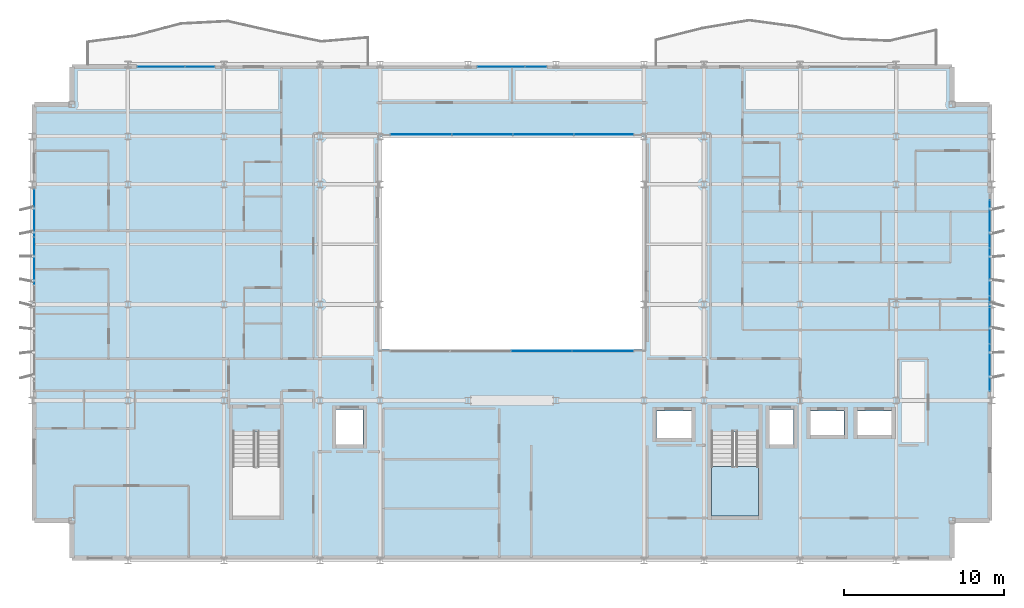
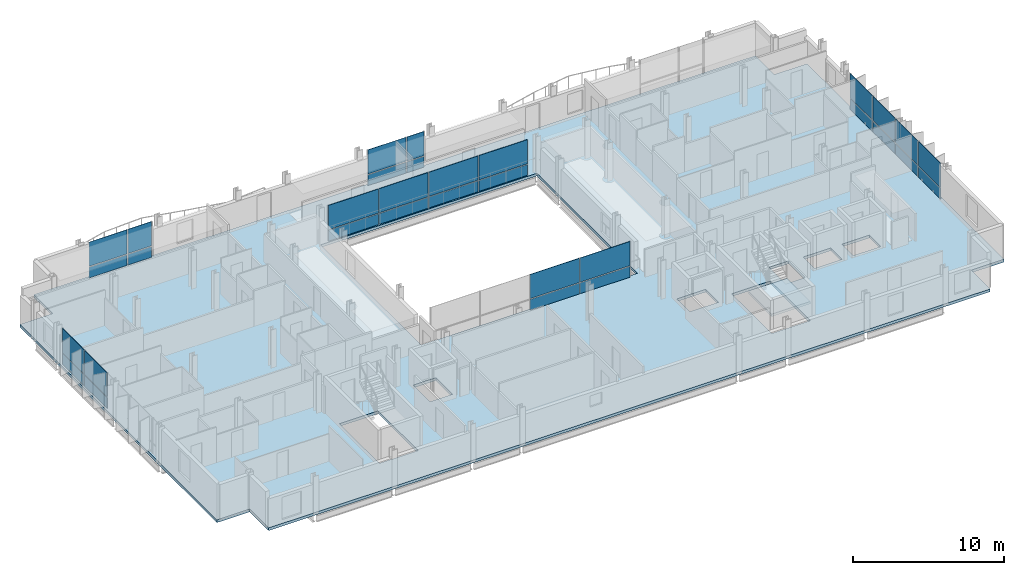
# One storey, part 25 of 38: 32 plates, 2 slabs, 7 elements without a shape of their own.
"""IFC4 building model written with IfcOpenShell, lengths in metres."""

import ifcopenshell
import ifcopenshell.guid

model = None  # the IFC model being written
_history = None  # IfcOwnerHistory: only IFC2X3 demands one
_inside = {}  # id of a spatial element -> (the spatial element, [elements in it])
_under = {}  # id of a project, library or spatial element -> (it, [spatial elements below it])
_declared = {}  # id of a project -> (the project, [libraries it declares])
_typed = {}  # id of a type object -> (the type object, [elements of that type])
_made_of = {}  # id of a material, layer set ... -> (it, [elements and type objects made of it])


def new_model(schema):
    """Start an empty IFC model of exactly this schema.

    Asked for "IFC4X3", IfcOpenShell would pick the latest addendum, in which some entities
    have other attributes; the version numbers below select the first issue.
    IFC2X3 requires an IfcOwnerHistory on every rooted entity: one is made here for all.
    """
    global model, _history
    if schema == "IFC4X3":
        model = ifcopenshell.file(schema_version=(4, 3, 0, 0))
    else:
        model = ifcopenshell.file(schema=schema)
    _inside.clear()
    _under.clear()
    _declared.clear()
    _typed.clear()
    _made_of.clear()
    _history = None
    if model.schema == "IFC2X3":
        org = make("IfcOrganization", Name="unknown")
        user = make(
            "IfcPersonAndOrganization",
            ThePerson=make("IfcPerson", FamilyName="unknown"),
            TheOrganization=org,
        )
        app = make(
            "IfcApplication",
            ApplicationDeveloper=org,
            Version="unknown",
            ApplicationFullName="unknown",
            ApplicationIdentifier="unknown",
        )
        _history = make(
            "IfcOwnerHistory",
            OwningUser=user,
            OwningApplication=app,
            ChangeAction="ADDED",
            CreationDate=0,
        )
    return model


def make(cls, **values):
    """One entity of the class cls with the attributes given. An attribute that is None is left unset."""
    return model.create_entity(
        cls, **{name: value for name, value in values.items() if value is not None}
    )


def rooted(cls, **values):
    """An entity with a GlobalId (a new one), such as an element, a storey or a relation."""
    return make(cls, GlobalId=ifcopenshell.guid.new(), OwnerHistory=_history, **values)


def si_unit(unit_type, name, prefix=None):
    """IfcSIUnit, for example si_unit("LENGTHUNIT", "METRE", prefix="MILLI")."""
    return make("IfcSIUnit", UnitType=unit_type, Prefix=prefix, Name=name)


def assignment(units):
    """IfcUnitAssignment: the units of a project."""
    return None if units is None else make("IfcUnitAssignment", Units=units)


def point(xyz):
    """IfcCartesianPoint."""
    return None if xyz is None else make("IfcCartesianPoint", Coordinates=xyz)


def direction(xyz):
    """IfcDirection."""
    return None if xyz is None else make("IfcDirection", DirectionRatios=xyz)


def frame(location, z_axis=None, x_axis=None):
    """IfcAxis2Placement3D, a coordinate frame: its origin and axes. An axis left out is left unset."""
    return make(
        "IfcAxis2Placement3D",
        Location=point(location),
        Axis=direction(z_axis),
        RefDirection=direction(x_axis),
    )


def frame_2d(location, x_axis=None):
    """IfcAxis2Placement2D, a coordinate frame in the plane: its origin and x axis."""
    return make(
        "IfcAxis2Placement2D", Location=point(location), RefDirection=direction(x_axis)
    )


def origin():
    """The frame at (0, 0, 0) with its axes left unset."""
    return frame((0.0, 0.0, 0.0))


def origin_2d():
    """The frame at (0, 0) in the plane with its x axis left unset."""
    return frame_2d((0.0, 0.0))


def place(relative_to, where):
    """IfcLocalPlacement: puts the frame where relative to a parent placement (None: the world)."""
    return make(
        "IfcLocalPlacement", PlacementRelTo=relative_to, RelativePlacement=where
    )


def context(
    kind, dimensions, precision=None, world=None, true_north=None, identifier=None
):
    """IfcGeometricRepresentationContext, for example the 3D "Model" context."""
    return make(
        "IfcGeometricRepresentationContext",
        ContextIdentifier=identifier,
        ContextType=kind,
        CoordinateSpaceDimension=dimensions,
        Precision=precision,
        WorldCoordinateSystem=world,
        TrueNorth=true_north,
    )


def subcontext(parent, identifier, kind, view, scale=None):
    """IfcGeometricRepresentationSubContext, for example "Body" below "Model"."""
    return make(
        "IfcGeometricRepresentationSubContext",
        ContextIdentifier=identifier,
        ContextType=kind,
        ParentContext=parent,
        TargetScale=scale,
        TargetView=view,
    )


def project(units=None, contexts=None):
    """IfcProject with its units and contexts."""
    return rooted(
        "IfcProject",
        Name="project",
        RepresentationContexts=contexts,
        UnitsInContext=assignment(units),
    )


def spatial(cls, under=None, at=None, **own):
    """A site, building, storey or space (cls), placed at a placement, below another one or the project."""
    s = rooted(cls, ObjectPlacement=at, **own)
    if under is not None:
        _under.setdefault(under.id(), (under, []))[1].append(s)
    return s


def polyline(points):
    """IfcPolyline through the points."""
    return make("IfcPolyline", Points=[point(p) for p in points])


def profile(cls, at=None, kind="AREA", **sizes):
    """A parametric profile (cls). Its sizes go by their IFC names, for example OverallWidth=200.0."""
    return make(cls, ProfileType=kind, Position=at, **sizes)


def rectangle(**sizes):
    """IfcRectangleProfileDef."""
    return profile("IfcRectangleProfileDef", **sizes)


def outline(outer, holes=None, kind="AREA"):
    """IfcArbitraryClosedProfileDef: a profile drawn as a closed curve; with holes, ...WithVoids."""
    if holes is None:
        return make("IfcArbitraryClosedProfileDef", ProfileType=kind, OuterCurve=outer)
    return make(
        "IfcArbitraryProfileDefWithVoids",
        ProfileType=kind,
        OuterCurve=outer,
        InnerCurves=holes,
    )


def extrude(swept, where, along, depth):
    """IfcExtrudedAreaSolid: the profile swept, set in the frame where, extruded along a direction by depth."""
    return make(
        "IfcExtrudedAreaSolid",
        SweptArea=swept,
        Position=where,
        ExtrudedDirection=direction(along),
        Depth=depth,
    )


def shape(context_of_items, identifier, shape_type, items):
    """IfcShapeRepresentation: the items that make up one representation, for example the "Body"."""
    return make(
        "IfcShapeRepresentation",
        ContextOfItems=context_of_items,
        RepresentationIdentifier=identifier,
        RepresentationType=shape_type,
        Items=items,
    )


def material(Name=None, Category=None):
    """IfcMaterial."""
    return make("IfcMaterial", Name=Name, Category=Category)


def layer(
    of_material, thickness, ventilated=None, Name=None, Category=None, Priority=None
):
    """IfcMaterialLayer: one layer of a wall or slab, of a material (None: an air gap)."""
    return make(
        "IfcMaterialLayer",
        Material=of_material,
        LayerThickness=thickness,
        IsVentilated=ventilated,
        Name=Name,
        Category=Category,
        Priority=Priority,
    )


def layer_set(layers, Name=None):
    """IfcMaterialLayerSet."""
    return make("IfcMaterialLayerSet", MaterialLayers=layers, LayerSetName=Name)


def made_of(thing, what):
    """Note that an element or type object is made of a material, layer set ...; save() writes the relation."""
    if what is not None:
        _made_of.setdefault(what.id(), (what, []))[1].append(thing)
    return thing


def type_object(cls, material=None, **own):
    """A type object (cls), such as IfcWallType, which elements share."""
    return made_of(rooted(cls, **own), material)


def element(
    cls,
    number,
    at=None,
    inside=None,
    cuts=None,
    type_object=None,
    material=None,
    context=None,
    identifier="Body",
    shape_type=None,
    held_by="IfcProductDefinitionShape",
    body=None,
    shapes=None,
    **own,
):
    """One element of the class cls, such as IfcWall. Its Tag is "e" and its number.

    at: its placement. inside: the storey or other place that contains it. cuts: it is an
    opening in that element (IfcRelVoidsElement). A single representation is given by context,
    identifier, shape_type and body (its items); several are given by shapes. held_by: the class
    of the entity that holds the representations. save() writes the other relations.
    """
    e = rooted(cls, Tag="e%d" % number, ObjectPlacement=at, **own)
    if body is not None:
        shapes = [shape(context, identifier, shape_type, body)]
    if shapes is not None:
        e.Representation = make(held_by, Representations=shapes)
    if inside is not None:
        _inside.setdefault(inside.id(), (inside, []))[1].append(e)
    if cuts is not None:
        rooted(
            "IfcRelVoidsElement", RelatingBuildingElement=cuts, RelatedOpeningElement=e
        )
    if type_object is not None:
        _typed.setdefault(type_object.id(), (type_object, []))[1].append(e)
    return made_of(e, material)


def aggregate(whole, parts):
    """IfcRelAggregates: a whole, such as a stair, and the parts it consists of."""
    return rooted("IfcRelAggregates", RelatingObject=whole, RelatedObjects=parts)


def save(model, path):
    """Write the relations noted so far, then the file.

    IfcRelAggregates (storeys below a building ...), IfcRelContainedInSpatialStructure (elements
    in a storey), IfcRelDefinesByType, IfcRelAssociatesMaterial and IfcRelDeclares: one each for
    every whole, place, type object, material and project.
    """
    for whole, parts in _under.values():
        aggregate(whole, parts)
    for where, things in _inside.values():
        rooted(
            "IfcRelContainedInSpatialStructure",
            RelatedElements=things,
            RelatingStructure=where,
        )
    for kind, things in _typed.values():
        rooted("IfcRelDefinesByType", RelatedObjects=things, RelatingType=kind)
    for what, things in _made_of.values():
        rooted("IfcRelAssociatesMaterial", RelatedObjects=things, RelatingMaterial=what)
    for by, libraries in _declared.values():
        rooted("IfcRelDeclares", RelatingContext=by, RelatedDefinitions=libraries)
    model.write(path)


model = new_model("IFC4")

# Units and contexts
model_context = context("Model", 3, precision=1e-05, world=origin(), true_north=direction((0.0, 1.0)))
body_context = subcontext(model_context, "Body", "Model", "MODEL_VIEW")
ifc_project = project(units=[si_unit("LENGTHUNIT", "METRE"), si_unit("AREAUNIT", "SQUARE_METRE"), si_unit("VOLUMEUNIT", "CUBIC_METRE"), si_unit("PLANEANGLEUNIT", "RADIAN"), si_unit("MASSUNIT", "GRAM", prefix="KILO")], contexts=[model_context])

# Site, building, storey
site_placement = place(None, origin())
site = spatial("IfcSite", under=ifc_project, at=site_placement, CompositionType="ELEMENT")
building_placement = place(site_placement, origin())
building = spatial("IfcBuilding", under=site, at=building_placement, Name="Brevholm Reach", CompositionType="ELEMENT")
storey_placement = place(building_placement, frame((0.0, 0.0, 166.60009765625)))
storey = spatial("IfcBuildingStorey", under=building, at=storey_placement, Name="L50", CompositionType="ELEMENT", Elevation=166.60009765625)

# Curtain wall, plates
ifc_material_1 = material(Name="Dark Anodised Aluminium 6063-T6 and Solar-Control Glass", Category="aluminium")
ifc_layer_1 = layer(ifc_material_1, 0.14990234375)
ifc_layer_set_1 = layer_set([ifc_layer_1], Name="Dark Anodised Aluminium 6063-T6 and Solar-Control Glass")
curtain_wall_type_1 = type_object("IfcCurtainWallType", Name="CW-01", PredefinedType="NOTDEFINED", material=ifc_layer_set_1)
curtain_wall_1_placement = place(storey_placement, origin())
curtain_wall_1 = element("IfcCurtainWall", 1, at=curtain_wall_1_placement, inside=storey, type_object=curtain_wall_type_1, Name="L50 Curtain Wall CW-01", PredefinedType="NOTDEFINED")
ifc_material_2 = material(Name="Dark Solar-Control Double-Glazed IGU Glass", Category="glass")
ifc_layer_2 = layer(ifc_material_2, 0.028076171875)
ifc_layer_set_2 = layer_set([ifc_layer_2], Name="Dark Solar-Control Double-Glazed IGU Glass")
plate_type_1 = type_object("IfcPlateType", Name="CWP-GLZ-28", PredefinedType="CURTAIN_PANEL", material=ifc_layer_set_2)
plate_1_placement = place(storey_placement, frame((0.14990234375, 21.703857421875, 0.0), z_axis=(0.0, 0.0, 1.0), x_axis=(0.0, -1.0, 0.0)))
plate_1 = element("IfcPlate", 2, at=plate_1_placement, type_object=plate_type_1, Name="CP-01 Glazing Panel 1.1", PredefinedType="CURTAIN_PANEL", context=body_context, shape_type="SweptSolid", body=[
    extrude(rectangle(XDim=2.902587890625, YDim=0.028076171875, at=origin_2d()), origin(), (0.0, 0.0, 1.0), 0.867431640625),
])
plate_2_placement = place(storey_placement, frame((0.14990234375, 21.703857421875, 0.9326171875), z_axis=(0.0, 0.0, 1.0), x_axis=(0.0, -1.0, 0.0)))
plate_2 = element("IfcPlate", 3, at=plate_2_placement, type_object=plate_type_1, Name="CP-01 Glazing Panel 1.2", PredefinedType="CURTAIN_PANEL", context=body_context, shape_type="SweptSolid", body=[
    extrude(rectangle(XDim=2.902587890625, YDim=0.028076171875, at=origin_2d()), origin(), (0.0, 0.0, 1.0), 1.947509765625),
])
plate_3_placement = place(storey_placement, frame((0.14990234375, 18.719970703125, 0.0), z_axis=(0.0, 0.0, 1.0), x_axis=(0.0, -1.0, 0.0)))
plate_3 = element("IfcPlate", 4, at=plate_3_placement, type_object=plate_type_1, Name="CP-01 Glazing Panel 2.1", PredefinedType="CURTAIN_PANEL", context=body_context, shape_type="SweptSolid", body=[
    extrude(rectangle(XDim=2.93505859375, YDim=0.028076171875, at=origin_2d()), origin(), (0.0, 0.0, 1.0), 0.867431640625),
])
plate_4_placement = place(storey_placement, frame((0.14990234375, 18.719970703125, 0.9326171875), z_axis=(0.0, 0.0, 1.0), x_axis=(0.0, -1.0, 0.0)))
plate_4 = element("IfcPlate", 5, at=plate_4_placement, type_object=plate_type_1, Name="CP-01 Glazing Panel 2.2", PredefinedType="CURTAIN_PANEL", context=body_context, shape_type="SweptSolid", body=[
    extrude(rectangle(XDim=2.93505859375, YDim=0.028076171875, at=origin_2d()), origin(), (0.0, 0.0, 1.0), 1.947509765625),
])
aggregate(curtain_wall_1, [plate_1, plate_2, plate_3, plate_4])

curtain_wall_2_placement = place(storey_placement, origin())
curtain_wall_2 = element("IfcCurtainWall", 6, at=curtain_wall_2_placement, inside=storey, type_object=curtain_wall_type_1, Name="L50 Curtain Wall CW-01", PredefinedType="NOTDEFINED")
plate_5_placement = place(storey_placement, frame((59.85009765625, 12.066162109375, 0.0), z_axis=(0.0, 0.0, 1.0), x_axis=(0.0, 1.0, 0.0)))
plate_5 = element("IfcPlate", 7, at=plate_5_placement, type_object=plate_type_1, Name="CP-01 Glazing Panel 1.1", PredefinedType="CURTAIN_PANEL", context=body_context, shape_type="SweptSolid", body=[
    extrude(rectangle(XDim=2.902587890625, YDim=0.028076171875, at=origin_2d()), origin(), (0.0, 0.0, 1.0), 0.867431640625),
])
plate_6_placement = place(storey_placement, frame((59.85009765625, 12.066162109375, 0.9326171875), z_axis=(0.0, 0.0, 1.0), x_axis=(0.0, 1.0, 0.0)))
plate_6 = element("IfcPlate", 8, at=plate_6_placement, type_object=plate_type_1, Name="CP-01 Glazing Panel 1.2", PredefinedType="CURTAIN_PANEL", context=body_context, shape_type="SweptSolid", body=[
    extrude(rectangle(XDim=2.902587890625, YDim=0.028076171875, at=origin_2d()), origin(), (0.0, 0.0, 1.0), 1.947509765625),
])
plate_7_placement = place(storey_placement, frame((59.85009765625, 15.050048828125, 0.0), z_axis=(0.0, 0.0, 1.0), x_axis=(0.0, 1.0, 0.0)))
plate_7 = element("IfcPlate", 9, at=plate_7_placement, type_object=plate_type_1, Name="CP-01 Glazing Panel 2.1", PredefinedType="CURTAIN_PANEL", context=body_context, shape_type="SweptSolid", body=[
    extrude(rectangle(XDim=2.93505859375, YDim=0.028076171875, at=origin_2d()), origin(), (0.0, 0.0, 1.0), 0.867431640625),
])
plate_8_placement = place(storey_placement, frame((59.85009765625, 15.050048828125, 0.9326171875), z_axis=(0.0, 0.0, 1.0), x_axis=(0.0, 1.0, 0.0)))
plate_8 = element("IfcPlate", 10, at=plate_8_placement, type_object=plate_type_1, Name="CP-01 Glazing Panel 2.2", PredefinedType="CURTAIN_PANEL", context=body_context, shape_type="SweptSolid", body=[
    extrude(rectangle(XDim=2.93505859375, YDim=0.028076171875, at=origin_2d()), origin(), (0.0, 0.0, 1.0), 1.947509765625),
])
plate_9_placement = place(storey_placement, frame((59.85009765625, 18.050048828125, 0.0), z_axis=(0.0, 0.0, 1.0), x_axis=(0.0, 1.0, 0.0)))
plate_9 = element("IfcPlate", 11, at=plate_9_placement, type_object=plate_type_1, Name="CP-01 Glazing Panel 3.1", PredefinedType="CURTAIN_PANEL", context=body_context, shape_type="SweptSolid", body=[
    extrude(rectangle(XDim=2.93505859375, YDim=0.028076171875, at=origin_2d()), origin(), (0.0, 0.0, 1.0), 0.867431640625),
])
plate_10_placement = place(storey_placement, frame((59.85009765625, 18.050048828125, 0.9326171875), z_axis=(0.0, 0.0, 1.0), x_axis=(0.0, 1.0, 0.0)))
plate_10 = element("IfcPlate", 12, at=plate_10_placement, type_object=plate_type_1, Name="CP-01 Glazing Panel 3.2", PredefinedType="CURTAIN_PANEL", context=body_context, shape_type="SweptSolid", body=[
    extrude(rectangle(XDim=2.93505859375, YDim=0.028076171875, at=origin_2d()), origin(), (0.0, 0.0, 1.0), 1.947509765625),
])
plate_11_placement = place(storey_placement, frame((59.85009765625, 21.050048828125, 0.0), z_axis=(0.0, 0.0, 1.0), x_axis=(0.0, 1.0, 0.0)))
plate_11 = element("IfcPlate", 13, at=plate_11_placement, type_object=plate_type_1, Name="CP-01 Glazing Panel 4.1", PredefinedType="CURTAIN_PANEL", context=body_context, shape_type="SweptSolid", body=[
    extrude(rectangle(XDim=2.93505859375, YDim=0.028076171875, at=origin_2d()), origin(), (0.0, 0.0, 1.0), 0.867431640625),
])
plate_12_placement = place(storey_placement, frame((59.85009765625, 21.050048828125, 0.9326171875), z_axis=(0.0, 0.0, 1.0), x_axis=(0.0, 1.0, 0.0)))
plate_12 = element("IfcPlate", 14, at=plate_12_placement, type_object=plate_type_1, Name="CP-01 Glazing Panel 4.2", PredefinedType="CURTAIN_PANEL", context=body_context, shape_type="SweptSolid", body=[
    extrude(rectangle(XDim=2.93505859375, YDim=0.028076171875, at=origin_2d()), origin(), (0.0, 0.0, 1.0), 1.947509765625),
])
aggregate(curtain_wall_2, [plate_5, plate_6, plate_7, plate_8, plate_9, plate_10, plate_11, plate_12])

curtain_wall_3_placement = place(storey_placement, origin())
curtain_wall_3 = element("IfcCurtainWall", 15, at=curtain_wall_3_placement, inside=storey, type_object=curtain_wall_type_1, Name="L50 Curtain Wall CW-01", PredefinedType="NOTDEFINED")
plate_13_placement = place(storey_placement, frame((8.066162109375, 30.85009765625, 0.0), z_axis=(0.0, 0.0, 1.0), x_axis=(1.0, 0.0, 0.0)))
plate_13 = element("IfcPlate", 16, at=plate_13_placement, type_object=plate_type_1, Name="CP-01 Glazing Panel 1.1", PredefinedType="CURTAIN_PANEL", context=body_context, shape_type="SweptSolid", body=[
    extrude(rectangle(XDim=2.902587890625, YDim=0.028076171875, at=origin_2d()), origin(), (0.0, 0.0, 1.0), 0.867431640625),
])
plate_14_placement = place(storey_placement, frame((8.066162109375, 30.85009765625, 0.9326171875), z_axis=(0.0, 0.0, 1.0), x_axis=(1.0, 0.0, 0.0)))
plate_14 = element("IfcPlate", 17, at=plate_14_placement, type_object=plate_type_1, Name="CP-01 Glazing Panel 1.2", PredefinedType="CURTAIN_PANEL", context=body_context, shape_type="SweptSolid", body=[
    extrude(rectangle(XDim=2.902587890625, YDim=0.028076171875, at=origin_2d()), origin(), (0.0, 0.0, 1.0), 1.947509765625),
])
plate_15_placement = place(storey_placement, frame((10.483642578125, 30.85009765625, 0.0), z_axis=(0.0, 0.0, 1.0), x_axis=(1.0, 0.0, 0.0)))
plate_15 = element("IfcPlate", 18, at=plate_15_placement, type_object=plate_type_1, Name="CP-01 Glazing Panel 2.1", PredefinedType="CURTAIN_PANEL", context=body_context, shape_type="SweptSolid", body=[
    extrude(rectangle(XDim=1.802490234375, YDim=0.028076171875, at=origin_2d()), origin(), (0.0, 0.0, 1.0), 0.867431640625),
])
plate_16_placement = place(storey_placement, frame((10.483642578125, 30.85009765625, 0.9326171875), z_axis=(0.0, 0.0, 1.0), x_axis=(1.0, 0.0, 0.0)))
plate_16 = element("IfcPlate", 19, at=plate_16_placement, type_object=plate_type_1, Name="CP-01 Glazing Panel 2.2", PredefinedType="CURTAIN_PANEL", context=body_context, shape_type="SweptSolid", body=[
    extrude(rectangle(XDim=1.802490234375, YDim=0.028076171875, at=origin_2d()), origin(), (0.0, 0.0, 1.0), 1.947509765625),
])
aggregate(curtain_wall_3, [plate_13, plate_14, plate_15, plate_16])

curtain_wall_4_placement = place(storey_placement, origin())
curtain_wall_4 = element("IfcCurtainWall", 20, at=curtain_wall_4_placement, inside=storey, type_object=curtain_wall_type_1, Name="L50 Curtain Wall CW-01", PredefinedType="NOTDEFINED")
plate_17_placement = place(storey_placement, frame((29.316162109375, 30.85009765625, 0.0), z_axis=(0.0, 0.0, 1.0), x_axis=(1.0, 0.0, 0.0)))
plate_17 = element("IfcPlate", 21, at=plate_17_placement, type_object=plate_type_1, Name="CP-01 Glazing Panel 1.1", PredefinedType="CURTAIN_PANEL", context=body_context, shape_type="SweptSolid", body=[
    extrude(rectangle(XDim=2.902587890625, YDim=0.028076171875, at=origin_2d()), origin(), (0.0, 0.0, 1.0), 0.867431640625),
])
plate_18_placement = place(storey_placement, frame((29.316162109375, 30.85009765625, 0.9326171875), z_axis=(0.0, 0.0, 1.0), x_axis=(1.0, 0.0, 0.0)))
plate_18 = element("IfcPlate", 22, at=plate_18_placement, type_object=plate_type_1, Name="CP-01 Glazing Panel 1.2", PredefinedType="CURTAIN_PANEL", context=body_context, shape_type="SweptSolid", body=[
    extrude(rectangle(XDim=2.902587890625, YDim=0.028076171875, at=origin_2d()), origin(), (0.0, 0.0, 1.0), 1.947509765625),
])
plate_19_placement = place(storey_placement, frame((31.483642578125, 30.85009765625, 0.0), z_axis=(0.0, 0.0, 1.0), x_axis=(1.0, 0.0, 0.0)))
plate_19 = element("IfcPlate", 23, at=plate_19_placement, type_object=plate_type_1, Name="CP-01 Glazing Panel 2.1", PredefinedType="CURTAIN_PANEL", context=body_context, shape_type="SweptSolid", body=[
    extrude(rectangle(XDim=1.302490234375, YDim=0.028076171875, at=origin_2d()), origin(), (0.0, 0.0, 1.0), 0.867431640625),
])
plate_20_placement = place(storey_placement, frame((31.483642578125, 30.85009765625, 0.9326171875), z_axis=(0.0, 0.0, 1.0), x_axis=(1.0, 0.0, 0.0)))
plate_20 = element("IfcPlate", 24, at=plate_20_placement, type_object=plate_type_1, Name="CP-01 Glazing Panel 2.2", PredefinedType="CURTAIN_PANEL", context=body_context, shape_type="SweptSolid", body=[
    extrude(rectangle(XDim=1.302490234375, YDim=0.028076171875, at=origin_2d()), origin(), (0.0, 0.0, 1.0), 1.947509765625),
])
aggregate(curtain_wall_4, [plate_17, plate_18, plate_19, plate_20])

ifc_material_3 = material(Name="Dark Anodised Aluminium 6063-T6 and Solar-Control Glass", Category="aluminium")
ifc_layer_3 = layer(ifc_material_3, 0.139892578125)
ifc_layer_set_3 = layer_set([ifc_layer_3], Name="Dark Anodised Aluminium 6063-T6 and Solar-Control Glass")
curtain_wall_type_2 = type_object("IfcCurtainWallType", Name="CW-02", PredefinedType="NOTDEFINED", material=ifc_layer_set_3)
curtain_wall_5_placement = place(storey_placement, origin())
curtain_wall_5 = element("IfcCurtainWall", 25, at=curtain_wall_5_placement, inside=storey, type_object=curtain_wall_type_2, Name="L50 Curtain Wall CW-02", PredefinedType="NOTDEFINED")
ifc_material_4 = material(Name="Low-Iron Laminated Acoustic Glass", Category="glass")
ifc_layer_4 = layer(ifc_material_4, 0.035888671875)
ifc_layer_set_4 = layer_set([ifc_layer_4], Name="Low-Iron Laminated Acoustic Glass")
plate_type_2 = type_object("IfcPlateType", Name="CWP-GLZ-36", PredefinedType="CURTAIN_PANEL", material=ifc_layer_set_4)
plate_21_placement = place(storey_placement, frame((31.85009765625, 13.080078125, -0.000244140625), z_axis=(0.0, 0.0, 1.0), x_axis=(1.0, 0.0, 0.0)))
plate_21 = element("IfcPlate", 26, at=plate_21_placement, type_object=plate_type_2, Name="CP-02 Glazing Panel 3.1", PredefinedType="CURTAIN_PANEL", context=body_context, shape_type="SweptSolid", body=[
    extrude(rectangle(XDim=3.739990234375, YDim=0.035888671875, at=origin_2d()), origin(), (0.0, 0.0, 1.0), 0.8701171875),
])
plate_22_placement = place(storey_placement, frame((31.85009765625, 13.080078125, 0.9296875), z_axis=(0.0, 0.0, 1.0), x_axis=(1.0, 0.0, 0.0)))
plate_22 = element("IfcPlate", 27, at=plate_22_placement, type_object=plate_type_2, Name="CP-02 Glazing Panel 3.2", PredefinedType="CURTAIN_PANEL", context=body_context, shape_type="SweptSolid", body=[
    extrude(rectangle(XDim=3.739990234375, YDim=0.035888671875, at=origin_2d()), origin(), (0.0, 0.0, 1.0), 1.949951171875),
])
plate_23_placement = place(storey_placement, frame((35.68505859375, 13.080078125, -0.000244140625), z_axis=(0.0, 0.0, 1.0), x_axis=(1.0, 0.0, 0.0)))
plate_23 = element("IfcPlate", 28, at=plate_23_placement, type_object=plate_type_2, Name="CP-02 Glazing Panel 4.1", PredefinedType="CURTAIN_PANEL", context=body_context, shape_type="SweptSolid", body=[
    extrude(rectangle(XDim=3.81005859375, YDim=0.035888671875, at=origin_2d()), origin(), (0.0, 0.0, 1.0), 0.8701171875),
])
plate_24_placement = place(storey_placement, frame((35.68505859375, 13.080078125, 0.9296875), z_axis=(0.0, 0.0, 1.0), x_axis=(1.0, 0.0, 0.0)))
plate_24 = element("IfcPlate", 29, at=plate_24_placement, type_object=plate_type_2, Name="CP-02 Glazing Panel 4.2", PredefinedType="CURTAIN_PANEL", context=body_context, shape_type="SweptSolid", body=[
    extrude(rectangle(XDim=3.81005859375, YDim=0.035888671875, at=origin_2d()), origin(), (0.0, 0.0, 1.0), 1.949951171875),
])
aggregate(curtain_wall_5, [plate_21, plate_22, plate_23, plate_24])

curtain_wall_6_placement = place(storey_placement, origin())
curtain_wall_6 = element("IfcCurtainWall", 30, at=curtain_wall_6_placement, inside=storey, type_object=curtain_wall_type_2, Name="L50 Curtain Wall CW-02", PredefinedType="NOTDEFINED")
plate_25_placement = place(storey_placement, frame((35.735107421875, 26.6201171875, -0.000244140625), z_axis=(0.0, 0.0, 1.0), x_axis=(-1.0, 0.0, 0.0)))
plate_25 = element("IfcPlate", 31, at=plate_25_placement, type_object=plate_type_2, Name="CP-02 Glazing Panel 1.1", PredefinedType="CURTAIN_PANEL", context=body_context, shape_type="SweptSolid", body=[
    extrude(rectangle(XDim=3.7099609375, YDim=0.035888671875, at=origin_2d()), origin(), (0.0, 0.0, 1.0), 0.8701171875),
])
plate_26_placement = place(storey_placement, frame((35.735107421875, 26.6201171875, 0.9296875), z_axis=(0.0, 0.0, 1.0), x_axis=(-1.0, 0.0, 0.0)))
plate_26 = element("IfcPlate", 32, at=plate_26_placement, type_object=plate_type_2, Name="CP-02 Glazing Panel 1.2", PredefinedType="CURTAIN_PANEL", context=body_context, shape_type="SweptSolid", body=[
    extrude(rectangle(XDim=3.7099609375, YDim=0.035888671875, at=origin_2d()), origin(), (0.0, 0.0, 1.0), 1.949951171875),
])
plate_27_placement = place(storey_placement, frame((31.949951171875, 26.6201171875, -0.000244140625), z_axis=(0.0, 0.0, 1.0), x_axis=(-1.0, 0.0, 0.0)))
plate_27 = element("IfcPlate", 33, at=plate_27_placement, type_object=plate_type_2, Name="CP-02 Glazing Panel 2.1", PredefinedType="CURTAIN_PANEL", context=body_context, shape_type="SweptSolid", body=[
    extrude(rectangle(XDim=3.739990234375, YDim=0.035888671875, at=origin_2d()), origin(), (0.0, 0.0, 1.0), 0.8701171875),
])
plate_28_placement = place(storey_placement, frame((31.949951171875, 26.6201171875, 0.9296875), z_axis=(0.0, 0.0, 1.0), x_axis=(-1.0, 0.0, 0.0)))
plate_28 = element("IfcPlate", 34, at=plate_28_placement, type_object=plate_type_2, Name="CP-02 Glazing Panel 2.2", PredefinedType="CURTAIN_PANEL", context=body_context, shape_type="SweptSolid", body=[
    extrude(rectangle(XDim=3.739990234375, YDim=0.035888671875, at=origin_2d()), origin(), (0.0, 0.0, 1.0), 1.949951171875),
])
plate_29_placement = place(storey_placement, frame((28.14990234375, 26.6201171875, -0.000244140625), z_axis=(0.0, 0.0, 1.0), x_axis=(-1.0, 0.0, 0.0)))
plate_29 = element("IfcPlate", 35, at=plate_29_placement, type_object=plate_type_2, Name="CP-02 Glazing Panel 3.1", PredefinedType="CURTAIN_PANEL", context=body_context, shape_type="SweptSolid", body=[
    extrude(rectangle(XDim=3.739990234375, YDim=0.035888671875, at=origin_2d()), origin(), (0.0, 0.0, 1.0), 0.8701171875),
])
plate_30_placement = place(storey_placement, frame((28.14990234375, 26.6201171875, 0.9296875), z_axis=(0.0, 0.0, 1.0), x_axis=(-1.0, 0.0, 0.0)))
plate_30 = element("IfcPlate", 36, at=plate_30_placement, type_object=plate_type_2, Name="CP-02 Glazing Panel 3.2", PredefinedType="CURTAIN_PANEL", context=body_context, shape_type="SweptSolid", body=[
    extrude(rectangle(XDim=3.739990234375, YDim=0.035888671875, at=origin_2d()), origin(), (0.0, 0.0, 1.0), 1.949951171875),
])
plate_31_placement = place(storey_placement, frame((24.31494140625, 26.6201171875, -0.000244140625), z_axis=(0.0, 0.0, 1.0), x_axis=(-1.0, 0.0, 0.0)))
plate_31 = element("IfcPlate", 37, at=plate_31_placement, type_object=plate_type_2, Name="CP-02 Glazing Panel 4.1", PredefinedType="CURTAIN_PANEL", context=body_context, shape_type="SweptSolid", body=[
    extrude(rectangle(XDim=3.81005859375, YDim=0.035888671875, at=origin_2d()), origin(), (0.0, 0.0, 1.0), 0.8701171875),
])
plate_32_placement = place(storey_placement, frame((24.31494140625, 26.6201171875, 0.9296875), z_axis=(0.0, 0.0, 1.0), x_axis=(-1.0, 0.0, 0.0)))
plate_32 = element("IfcPlate", 38, at=plate_32_placement, type_object=plate_type_2, Name="CP-02 Glazing Panel 4.2", PredefinedType="CURTAIN_PANEL", context=body_context, shape_type="SweptSolid", body=[
    extrude(rectangle(XDim=3.81005859375, YDim=0.035888671875, at=origin_2d()), origin(), (0.0, 0.0, 1.0), 1.949951171875),
])
aggregate(curtain_wall_6, [plate_25, plate_26, plate_27, plate_28, plate_29, plate_30, plate_31, plate_32])

# Slab
ifc_material_5 = material(Name="Concrete C40/50", Category="concrete")
ifc_layer_5 = layer(ifc_material_5, 0.219970703125)
ifc_layer_set_5 = layer_set([ifc_layer_5], Name="Concrete C40/50")
slab_type_1 = type_object("IfcSlabType", Name="SLB-FL-220", PredefinedType="FLOOR", material=ifc_layer_set_5)
slab_1_placement = place(storey_placement, frame((0.0, 0.0, -0.22021484375)))
element("IfcSlab", 39, at=slab_1_placement, inside=storey, type_object=slab_type_1, Name="L50 Suspended Floor Slab (main)", PredefinedType="FLOOR", context=body_context, shape_type="SweptSolid", body=[
    extrude(outline(polyline([(2.5, 0.0), (57.5, 0.0), (57.5, 2.5), (60.0, 2.5), (60.0, 28.5), (57.5, 28.5), (57.5, 31.0), (2.5, 31.0), (2.5, 28.5), (0.0, 28.5), (0.0, 2.5), (2.5, 2.5), (2.5, 0.0)]), holes=[polyline([(21.75, 13.199951171875), (38.25, 13.199951171875), (38.25, 26.5), (21.75, 26.5), (21.75, 13.199951171875)]), polyline([(12.550048828125, 2.780029296875), (15.5, 2.780029296875), (15.5, 8.044921875), (12.550048828125, 8.044921875), (12.550048828125, 2.780029296875)]), polyline([(42.449951171875, 2.780029296875), (45.39990234375, 2.780029296875), (45.39990234375, 8.044921875), (42.449951171875, 8.044921875), (42.449951171875, 2.780029296875)]), polyline([(19.0, 7.25), (20.699951171875, 7.25), (20.699951171875, 9.449951171875), (19.0, 9.449951171875), (19.0, 7.25)]), polyline([(46.10009765625, 7.25), (47.60009765625, 7.25), (47.60009765625, 9.449951171875), (46.10009765625, 9.449951171875), (46.10009765625, 7.25)]), polyline([(39.02001953125, 7.64990234375), (41.219970703125, 7.64990234375), (41.219970703125, 9.35009765625), (39.02001953125, 9.35009765625), (39.02001953125, 7.64990234375)]), polyline([(48.64990234375, 7.85009765625), (50.75, 7.85009765625), (50.75, 9.35009765625), (48.64990234375, 9.35009765625), (48.64990234375, 7.85009765625)]), polyline([(51.60009765625, 7.85009765625), (53.699951171875, 7.85009765625), (53.699951171875, 9.35009765625), (51.60009765625, 9.35009765625), (51.60009765625, 7.85009765625)])]), origin(), (0.0, 0.0, 1.0), 0.22021484375),
])

# Stair, slab
ifc_material_6 = material(Name="Precast Concrete C40/50", Category="concrete")
stair_type = type_object("IfcStairType", Name="STR-ESC-1400", PredefinedType="DOUBLE_RETURN_STAIR", material=ifc_material_6)
stair_placement = place(storey_placement, origin())
stair = element("IfcStair", 40, at=stair_placement, inside=storey, type_object=stair_type, Name="L50 ST-2", PredefinedType="DOUBLE_RETURN_STAIR")
ifc_material_7 = material(Name="Concrete C40/50", Category="concrete")
ifc_layer_6 = layer(ifc_material_7, 0.199951171875)
ifc_layer_set_6 = layer_set([ifc_layer_6], Name="Concrete C40/50")
slab_type_2 = type_object("IfcSlabType", Name="SLB-LND-200", PredefinedType="LANDING", material=ifc_layer_set_6)
slab_2_placement = place(storey_placement, frame((0.0, 0.0, 1.349853515625)))
slab_2 = element("IfcSlab", 41, at=slab_2_placement, type_object=slab_type_2, Name="ST-2 landing 1", PredefinedType="LANDING", context=body_context, shape_type="SweptSolid", body=[
    extrude(outline(polyline([(42.449951171875, 5.860107421875), (42.449951171875, 2.780029296875), (45.39990234375, 2.780029296875), (45.39990234375, 5.860107421875), (42.449951171875, 5.860107421875)])), origin(), (0.0, 0.0, 1.0), 0.199951171875),
])
aggregate(stair, [slab_2])

save(model, "model.ifc")
